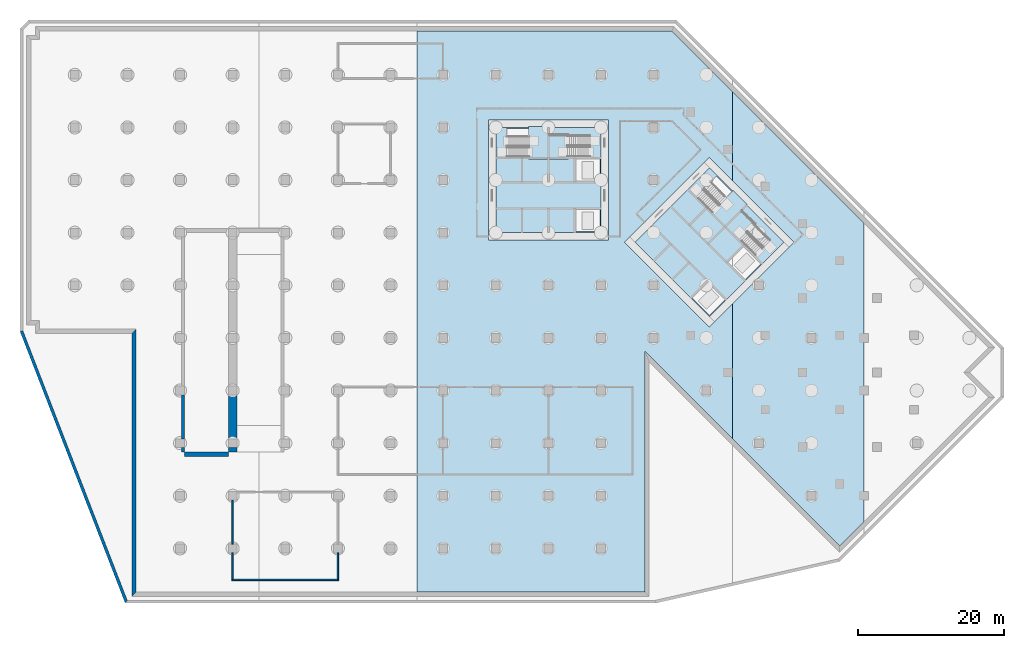
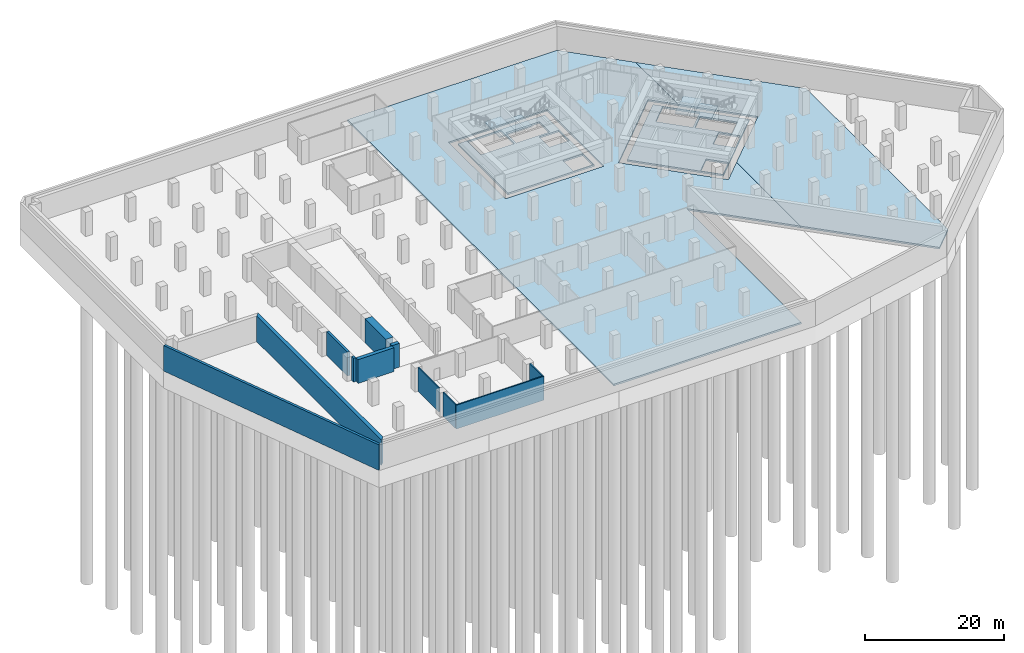
# One storey, part 2 of 12: 11 walls, 8 slabs, 9 openings, 4 elements without a shape of their own.
"""IFC4 building model written with IfcOpenShell, lengths in metres."""

from ifc_helpers import new_model, si_unit, direction, frame, frame_2d, origin, place, context, subcontext, project, spatial, polyline, rectangle, outline, extrude, material, layer, layer_set, type_object, element, aggregate, save


model = new_model("IFC4")

# Units and contexts
model_context = context("Model", 3, precision=1e-05, world=origin(), true_north=direction((0.0, 1.0)))
body_context = subcontext(model_context, "Body", "Model", "MODEL_VIEW")
ifc_project = project(units=[si_unit("LENGTHUNIT", "METRE"), si_unit("AREAUNIT", "SQUARE_METRE"), si_unit("VOLUMEUNIT", "CUBIC_METRE"), si_unit("PLANEANGLEUNIT", "RADIAN"), si_unit("MASSUNIT", "GRAM", prefix="KILO")], contexts=[model_context])

# Site, building, storey
site_placement = place(None, origin())
site = spatial("IfcSite", under=ifc_project, at=site_placement, CompositionType="ELEMENT")
building_placement = place(site_placement, origin())
building = spatial("IfcBuilding", under=site, at=building_placement, Name="Windrow Commons", CompositionType="ELEMENT")
storey_placement = place(building_placement, frame((0.0, 0.0, -9.0)))
storey = spatial("IfcBuildingStorey", under=building, at=storey_placement, Name="B2", CompositionType="ELEMENT", Elevation=-9.0)

# Slab, opening
ifc_material_1 = material(Name="Concrete C40/50", Category="concrete")
ifc_layer_1 = layer(ifc_material_1, 0.3)
ifc_layer_set_1 = layer_set([ifc_layer_1], Name="BASE SLAB 300 C40/50")
slab_type_1 = type_object("IfcSlabType", Name="BASE SLAB 300 C40/50", PredefinedType="BASESLAB", material=ifc_layer_set_1)
placement_1 = place(storey_placement, frame((0.0, 0.0, -0.3)))
slab_1 = element("IfcSlab", 1, at=placement_1, inside=storey, type_object=slab_type_1, Name="S-B2-base-3", PredefinedType="BASESLAB", context=body_context, shape_type="SweptSolid", body=[
    extrude(outline(polyline([(81.6853, 78.0), (46.8, 78.0), (46.8, 1.2), (78.0, 1.2), (78.0, 34.1677), (90.0, 22.1677), (90.0, 40.6564), (86.8368, 37.4932), (75.2402, 49.0897), (86.8368, 60.6863), (90.0, 57.523), (90.0, 69.6853), (81.6853, 78.0)]), holes=[polyline([(73.0, 65.8), (73.0, 49.4), (56.6, 49.4), (56.6, 65.8), (73.0, 65.8)])]), origin(), (0.0, 0.0, 1.0), 0.3),
])
opening_1_placement = place(placement_1, origin())
element("IfcOpeningElement", 2, at=opening_1_placement, cuts=slab_1, Name="Slab opening S-B2-base-3 1", PredefinedType="OPENING", context=body_context, shape_type="SweptSolid", body=[
    extrude(outline(polyline([(72.995, 65.795), (72.995, 49.405), (56.605, 49.405), (56.605, 65.795), (72.995, 65.795)])), origin(), (0.0, 0.0, 1.0), 0.3),
])

# Slab
element("IfcSlab", 3, at=placement_1, inside=storey, type_object=slab_type_1, Name="S-B2-base-4", PredefinedType="BASESLAB", context=body_context, shape_type="SweptSolid", body=[
    extrude(outline(polyline([(108.0, 51.6853), (90.0, 69.6853), (90.0, 57.523), (98.4333, 49.0897), (90.0, 40.6564), (90.0, 22.1677), (104.6558, 7.5119), (108.0, 10.856), (108.0, 51.6853)])), origin(), (0.0, 0.0, 1.0), 0.3),
])

# Slab, openings
ifc_material_2 = material(Name="Concrete C60/75", Category="concrete")
ifc_layer_2 = layer(ifc_material_2, 0.3)
ifc_layer_set_2 = layer_set([ifc_layer_2], Name="CORE FLOOR SLAB 300 C60/75")
slab_type_2 = type_object("IfcSlabType", Name="CORE FLOOR SLAB 300 C60/75", PredefinedType="FLOOR", material=ifc_layer_set_2)
slab_3 = element("IfcSlab", 4, at=placement_1, inside=storey, type_object=slab_type_2, Name="S-B2-core-A", PredefinedType="FLOOR", context=body_context, shape_type="SweptSolid", body=[
    extrude(outline(polyline([(57.6, 50.4), (72.0, 50.4), (72.0, 64.8), (57.6, 64.8), (57.6, 50.4)]), holes=[polyline([(68.55, 50.55), (71.85, 50.55), (71.85, 53.55), (68.55, 53.55), (68.55, 50.55)]), polyline([(68.55, 57.45), (71.85, 57.45), (71.85, 60.45), (68.55, 60.45), (68.55, 57.45)]), polyline([(59.1, 60.75), (64.65, 60.75), (64.65, 64.65), (59.1, 64.65), (59.1, 60.75)]), polyline([(64.95, 60.75), (70.5, 60.75), (70.5, 63.705), (64.95, 63.705), (64.95, 60.75)])]), origin(), (0.0, 0.0, 1.0), 0.3),
])
opening_2_placement = place(placement_1, origin())
element("IfcOpeningElement", 5, at=opening_2_placement, cuts=slab_3, Name="Slab opening S-B2-core-A 1", PredefinedType="OPENING", context=body_context, shape_type="SweptSolid", body=[
    extrude(outline(polyline([(68.555, 50.555), (68.555, 53.545), (71.845, 53.545), (71.845, 50.555), (68.555, 50.555)])), origin(), (0.0, 0.0, 1.0), 0.3),
])
opening_3_placement = place(placement_1, origin())
element("IfcOpeningElement", 6, at=opening_3_placement, cuts=slab_3, Name="Slab opening S-B2-core-A 2", PredefinedType="OPENING", context=body_context, shape_type="SweptSolid", body=[
    extrude(outline(polyline([(68.555, 57.455), (68.555, 60.445), (71.845, 60.445), (71.845, 57.455), (68.555, 57.455)])), origin(), (0.0, 0.0, 1.0), 0.3),
])
opening_4_placement = place(placement_1, origin())
element("IfcOpeningElement", 7, at=opening_4_placement, cuts=slab_3, Name="Slab opening S-B2-core-A 3", PredefinedType="OPENING", context=body_context, shape_type="SweptSolid", body=[
    extrude(outline(polyline([(59.105, 60.755), (59.105, 64.645), (64.645, 64.645), (64.645, 60.755), (59.105, 60.755)])), origin(), (0.0, 0.0, 1.0), 0.3),
])
opening_5_placement = place(placement_1, origin())
element("IfcOpeningElement", 8, at=opening_5_placement, cuts=slab_3, Name="Slab opening S-B2-core-A 4", PredefinedType="OPENING", context=body_context, shape_type="SweptSolid", body=[
    extrude(outline(polyline([(64.955, 60.755), (64.955, 63.7), (70.495, 63.7), (70.495, 60.755), (64.955, 60.755)])), origin(), (0.0, 0.0, 1.0), 0.3),
])

slab_4 = element("IfcSlab", 9, at=placement_1, inside=storey, type_object=slab_type_2, Name="S-B2-core-B", PredefinedType="FLOOR", context=body_context, shape_type="SweptSolid", body=[
    extrude(outline(polyline([(76.6544, 49.0897), (86.8368, 38.9074), (97.0191, 49.0897), (86.8368, 59.2721), (76.6544, 49.0897)]), holes=[polyline([(84.5033, 41.453), (86.8368, 39.1195), (88.9581, 41.2409), (86.6246, 43.5743), (84.5033, 41.453)]), polyline([(89.3823, 46.332), (91.7158, 43.9986), (93.8371, 46.1199), (91.5037, 48.4533), (89.3823, 46.332)]), polyline([(85.0336, 55.3476), (88.9581, 51.4232), (91.7158, 54.1809), (87.7913, 58.1054), (85.0336, 55.3476)]), polyline([(89.1702, 51.2111), (93.0946, 47.2866), (95.1841, 49.3761), (91.2597, 53.3006), (89.1702, 51.2111)])]), origin(), (0.0, 0.0, 1.0), 0.3),
])
opening_6_placement = place(placement_1, origin())
element("IfcOpeningElement", 10, at=opening_6_placement, cuts=slab_4, Name="Slab opening S-B2-core-B 1", PredefinedType="OPENING", context=body_context, shape_type="SweptSolid", body=[
    extrude(outline(polyline([(84.5104, 41.453), (86.6246, 43.5672), (88.951, 41.2409), (86.8368, 39.1266), (84.5104, 41.453)])), origin(), (0.0, 0.0, 1.0), 0.3),
])
opening_7_placement = place(placement_1, origin())
element("IfcOpeningElement", 11, at=opening_7_placement, cuts=slab_4, Name="Slab opening S-B2-core-B 2", PredefinedType="OPENING", context=body_context, shape_type="SweptSolid", body=[
    extrude(outline(polyline([(89.3894, 46.332), (91.5037, 48.4462), (93.83, 46.1199), (91.7158, 44.0057), (89.3894, 46.332)])), origin(), (0.0, 0.0, 1.0), 0.3),
])
opening_8_placement = place(placement_1, origin())
element("IfcOpeningElement", 12, at=opening_8_placement, cuts=slab_4, Name="Slab opening S-B2-core-B 3", PredefinedType="OPENING", context=body_context, shape_type="SweptSolid", body=[
    extrude(outline(polyline([(85.0407, 55.3476), (87.7913, 58.0983), (91.7087, 54.1809), (88.9581, 51.4303), (85.0407, 55.3476)])), origin(), (0.0, 0.0, 1.0), 0.3),
])
opening_9_placement = place(placement_1, origin())
element("IfcOpeningElement", 13, at=opening_9_placement, cuts=slab_4, Name="Slab opening S-B2-core-B 4", PredefinedType="OPENING", context=body_context, shape_type="SweptSolid", body=[
    extrude(outline(polyline([(89.1773, 51.2111), (91.2597, 53.2935), (95.177, 49.3761), (93.0946, 47.2937), (89.1773, 51.2111)])), origin(), (0.0, 0.0, 1.0), 0.3),
])

# Stair, slab
ifc_material_3 = material(Name="Concrete C40/50", Category="concrete")
stair_type = type_object("IfcStairType", Name="Core stair", PredefinedType="HALF_TURN_STAIR", material=ifc_material_3)
placement_2 = place(storey_placement, origin())
stair_1 = element("IfcStair", 14, at=placement_2, inside=storey, type_object=stair_type, Name="B2 Exit stair A1 core A", PredefinedType="HALF_TURN_STAIR")
ifc_material_4 = material(Name="Concrete C40/50", Category="concrete")
ifc_layer_3 = layer(ifc_material_4, 0.2)
ifc_layer_set_3 = layer_set([ifc_layer_3], Name="Core stair landing")
slab_type_3 = type_object("IfcSlabType", Name="Core stair landing", PredefinedType="LANDING", material=ifc_layer_set_3)
placement_3 = place(storey_placement, frame((0.0, 0.0, 2.05)))
slab_5 = element("IfcSlab", 15, at=placement_3, type_object=slab_type_3, Name="ST-A1 landing 1", PredefinedType="LANDING", context=body_context, shape_type="SweptSolid", body=[
    extrude(outline(polyline([(62.06, 60.5), (64.8, 60.5), (64.8, 64.9), (62.06, 64.9), (62.06, 60.5)])), origin(), (0.0, 0.0, 1.0), 0.2),
])
aggregate(stair_1, [slab_5])

stair_2 = element("IfcStair", 16, at=placement_2, inside=storey, type_object=stair_type, Name="B2 Exit stair A2 core A", PredefinedType="HALF_TURN_STAIR")
slab_6 = element("IfcSlab", 17, at=placement_3, type_object=slab_type_3, Name="ST-A2 landing 1", PredefinedType="LANDING", context=body_context, shape_type="SweptSolid", body=[
    extrude(outline(polyline([(64.8, 60.5), (67.54, 60.5), (67.54, 63.855), (64.8, 63.855), (64.8, 60.5)])), origin(), (0.0, 0.0, 1.0), 0.2),
])
aggregate(stair_2, [slab_6])

stair_3 = element("IfcStair", 18, at=placement_2, inside=storey, type_object=stair_type, Name="B2 Exit stair B1 core B", PredefinedType="HALF_TURN_STAIR")
slab_7 = element("IfcSlab", 19, at=placement_3, type_object=slab_type_3, Name="ST-B1 landing 1", PredefinedType="LANDING", context=body_context, shape_type="SweptSolid", body=[
    extrude(outline(polyline([(86.9499, 53.0778), (88.8874, 51.1403), (91.9986, 54.2516), (90.0612, 56.1891), (86.9499, 53.0778)])), origin(), (0.0, 0.0, 1.0), 0.2),
])
aggregate(stair_3, [slab_7])

stair_4 = element("IfcStair", 20, at=placement_2, inside=storey, type_object=stair_type, Name="B2 Exit stair B2 core B", PredefinedType="HALF_TURN_STAIR")
slab_8 = element("IfcSlab", 21, at=placement_3, type_object=slab_type_3, Name="ST-B2 landing 1", PredefinedType="LANDING", context=body_context, shape_type="SweptSolid", body=[
    extrude(outline(polyline([(88.8874, 51.1403), (90.8248, 49.2029), (93.1971, 51.5752), (91.2597, 53.5127), (88.8874, 51.1403)])), origin(), (0.0, 0.0, 1.0), 0.2),
])
aggregate(stair_4, [slab_8])

# Walls
ifc_material_5 = material(Name="Blockwork partition", Category="masonry")
ifc_layer_4 = layer(ifc_material_5, 0.2)
ifc_layer_set_4 = layer_set([ifc_layer_4], Name="CP-PART-200")
wall_type_1 = type_object("IfcWallType", Name="CP-PART-200", PredefinedType="PARTITIONING", material=ifc_layer_set_4)
wall_1_placement = place(storey_placement, frame((21.6, 3.0, 0.0), z_axis=(0.0, 0.0, 1.0), x_axis=(0.0, 1.0, 0.0)))
element("IfcWall", 22, at=wall_1_placement, inside=storey, type_object=wall_type_1, Name="Plant room wall 01", PredefinedType="PARTITIONING", context=body_context, shape_type="SweptSolid", body=[
    extrude(rectangle(XDim=3.6, YDim=0.2, at=frame_2d((1.8, 0.0))), origin(), (0.0, 0.0, 1.0), 4.2),
])
wall_2_placement = place(storey_placement, frame((21.6, 7.8, 0.0), z_axis=(0.0, 0.0, 1.0), x_axis=(0.0, 1.0, 0.0)))
element("IfcWall", 23, at=wall_2_placement, inside=storey, type_object=wall_type_1, Name="Plant room wall 02", PredefinedType="PARTITIONING", context=body_context, shape_type="SweptSolid", body=[
    extrude(rectangle(XDim=6.0, YDim=0.2, at=frame_2d((3.0, 0.0))), origin(), (0.0, 0.0, 1.0), 4.2),
])
wall_3_placement = place(storey_placement, frame((36.0, 3.0, 0.0), z_axis=(0.0, 0.0, 1.0), x_axis=(0.0, 1.0, 0.0)))
element("IfcWall", 24, at=wall_3_placement, inside=storey, type_object=wall_type_1, Name="Plant room wall 03", PredefinedType="PARTITIONING", context=body_context, shape_type="SweptSolid", body=[
    extrude(rectangle(XDim=3.6, YDim=0.2, at=frame_2d((1.8, 0.0))), origin(), (0.0, 0.0, 1.0), 4.2),
])
wall_4_placement = place(storey_placement, frame((21.5, 2.9, 0.0), z_axis=(0.0, 0.0, 1.0), x_axis=(1.0, 0.0, 0.0)))
element("IfcWall", 25, at=wall_4_placement, inside=storey, type_object=wall_type_1, Name="Plant room wall 16", PredefinedType="PARTITIONING", context=body_context, shape_type="SweptSolid", body=[
    extrude(rectangle(XDim=14.6, YDim=0.2, at=frame_2d((7.3, 0.0))), origin(), (0.0, 0.0, 1.0), 4.2),
])
ifc_material_6 = material(Name="Concrete C40/50", Category="concrete")
ifc_layer_5 = layer(ifc_material_6, 1.2)
ifc_layer_set_5 = layer_set([ifc_layer_5], Name="CP-WALL-1200")
wall_type_2 = type_object("IfcWallType", Name="CP-WALL-1200", PredefinedType="SOLIDWALL", material=ifc_layer_set_5)
wall_5_placement = place(storey_placement, frame((21.6, 20.4, 0.0), z_axis=(0.0, 0.0, 1.0), x_axis=(0.0, 1.0, 0.0)))
element("IfcWall", 26, at=wall_5_placement, inside=storey, type_object=wall_type_2, Name="Ramp wall D1 B2", PredefinedType="SOLIDWALL", context=body_context, shape_type="SweptSolid", body=[
    extrude(rectangle(XDim=0.6, YDim=1.2, at=frame_2d((0.3, 0.0))), origin(), (0.0, 0.0, 1.0), 4.2),
])
wall_6_placement = place(storey_placement, frame((21.6, 22.2, 0.0), z_axis=(0.0, 0.0, 1.0), x_axis=(0.0, 1.0, 0.0)))
element("IfcWall", 27, at=wall_6_placement, inside=storey, type_object=wall_type_2, Name="Ramp wall D2 B2", PredefinedType="SOLIDWALL", context=body_context, shape_type="SweptSolid", body=[
    extrude(rectangle(XDim=6.0, YDim=1.2, at=frame_2d((3.0, 0.0))), origin(), (0.0, 0.0, 1.0), 4.2),
])
ifc_material_7 = material(Name="Concrete C40/50", Category="concrete")
ifc_layer_6 = layer(ifc_material_7, 0.4)
ifc_layer_set_6 = layer_set([ifc_layer_6], Name="CP-WALL-400")
wall_type_3 = type_object("IfcWallType", Name="CP-WALL-400", PredefinedType="SOLIDWALL", material=ifc_layer_set_6)
wall_7_placement = place(storey_placement, frame((14.8, 20.4, 0.0), z_axis=(0.0, 0.0, 1.0), x_axis=(0.0, 1.0, 0.0)))
element("IfcWall", 28, at=wall_7_placement, inside=storey, type_object=wall_type_3, Name="Ramp wall W1 B2", PredefinedType="SOLIDWALL", context=body_context, shape_type="SweptSolid", body=[
    extrude(rectangle(XDim=0.6, YDim=0.4, at=frame_2d((0.3, 0.0))), origin(), (0.0, 0.0, 1.0), 4.2),
])
wall_8_placement = place(storey_placement, frame((14.8, 22.2, 0.0), z_axis=(0.0, 0.0, 1.0), x_axis=(0.0, 1.0, 0.0)))
element("IfcWall", 29, at=wall_8_placement, inside=storey, type_object=wall_type_3, Name="Ramp wall W2 B2", PredefinedType="SOLIDWALL", context=body_context, shape_type="SweptSolid", body=[
    extrude(rectangle(XDim=6.0, YDim=0.4, at=frame_2d((3.0, 0.0))), origin(), (0.0, 0.0, 1.0), 4.2),
])
ifc_material_8 = material(Name="Concrete C40/50", Category="concrete")
ifc_layer_7 = layer(ifc_material_8, 0.6)
ifc_layer_set_7 = layer_set([ifc_layer_7], Name="CP-WALL-600")
wall_type_4 = type_object("IfcWallType", Name="CP-WALL-600", PredefinedType="SOLIDWALL", material=ifc_layer_set_7)
wall_9_placement = place(storey_placement, frame((15.0, 20.1, 0.0), z_axis=(0.0, 0.0, 1.0), x_axis=(1.0, 0.0, 0.0)))
element("IfcWall", 30, at=wall_9_placement, inside=storey, type_object=wall_type_4, Name="Ramp head wall B2", PredefinedType="SOLIDWALL", context=body_context, shape_type="SweptSolid", body=[
    extrude(rectangle(XDim=6.0, YDim=0.6, at=frame_2d((3.0, 0.0))), origin(), (0.0, 0.0, 1.0), 4.2),
])
ifc_material_9 = material(Name="Concrete C40/50", Category="concrete")
ifc_layer_8 = layer(ifc_material_9, 0.4)
ifc_layer_set_8 = layer_set([ifc_layer_8], Name="RC RETAINING WALL 400 C40/50")
wall_type_5 = type_object("IfcWallType", Name="RC RETAINING WALL 400 C40/50", PredefinedType="SOLIDWALL", material=ifc_layer_set_8)
wall_10_placement = place(storey_placement, frame((7.037, -0.1, -0.3), z_axis=(0.0, 0.0, 1.0), x_axis=(-0.3609928311, 0.9325685905, 0.0)))
element("IfcWall", 31, at=wall_10_placement, inside=storey, type_object=wall_type_5, Name="Retaining wall raft edge B2-002", PredefinedType="SOLIDWALL", context=body_context, shape_type="SweptSolid", body=[
    extrude(outline(polyline([(0.0685, -0.2), (39.6968, -0.2), (39.7341, 0.2), (-0.0685, 0.2), (0.0685, -0.2)])), origin(), (0.0, 0.0, 1.0), 4.5),
])
ifc_material_10 = material(Name="Concrete C40/50", Category="concrete")
ifc_layer_9 = layer(ifc_material_10, 0.6)
ifc_layer_set_9 = layer_set([ifc_layer_9], Name="RC RETAINING WALL 600 C40/50")
wall_type_6 = type_object("IfcWallType", Name="RC RETAINING WALL 600 C40/50", PredefinedType="SOLIDWALL", material=ifc_layer_set_9)
element("IfcWall", 32, at=placement_1, inside=storey, type_object=wall_type_6, Name="Retaining wall B2-02", PredefinedType="SOLIDWALL", context=body_context, shape_type="SweptSolid", body=[
    extrude(outline(polyline([(8.4, 37.2), (8.4, 1.2), (7.8, 0.6), (7.8, 36.6), (8.4, 37.2)])), origin(), (0.0, 0.0, 1.0), 4.5),
])

save(model, "model.ifc")
